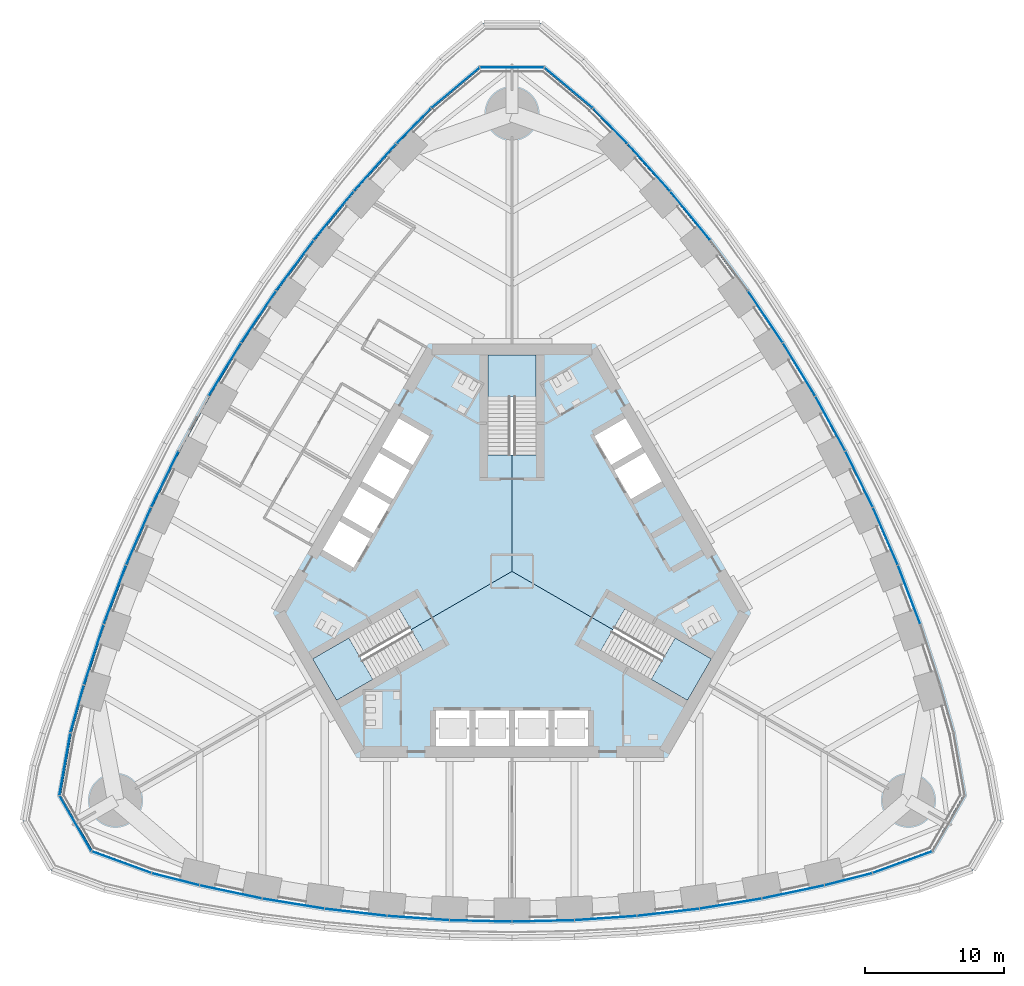
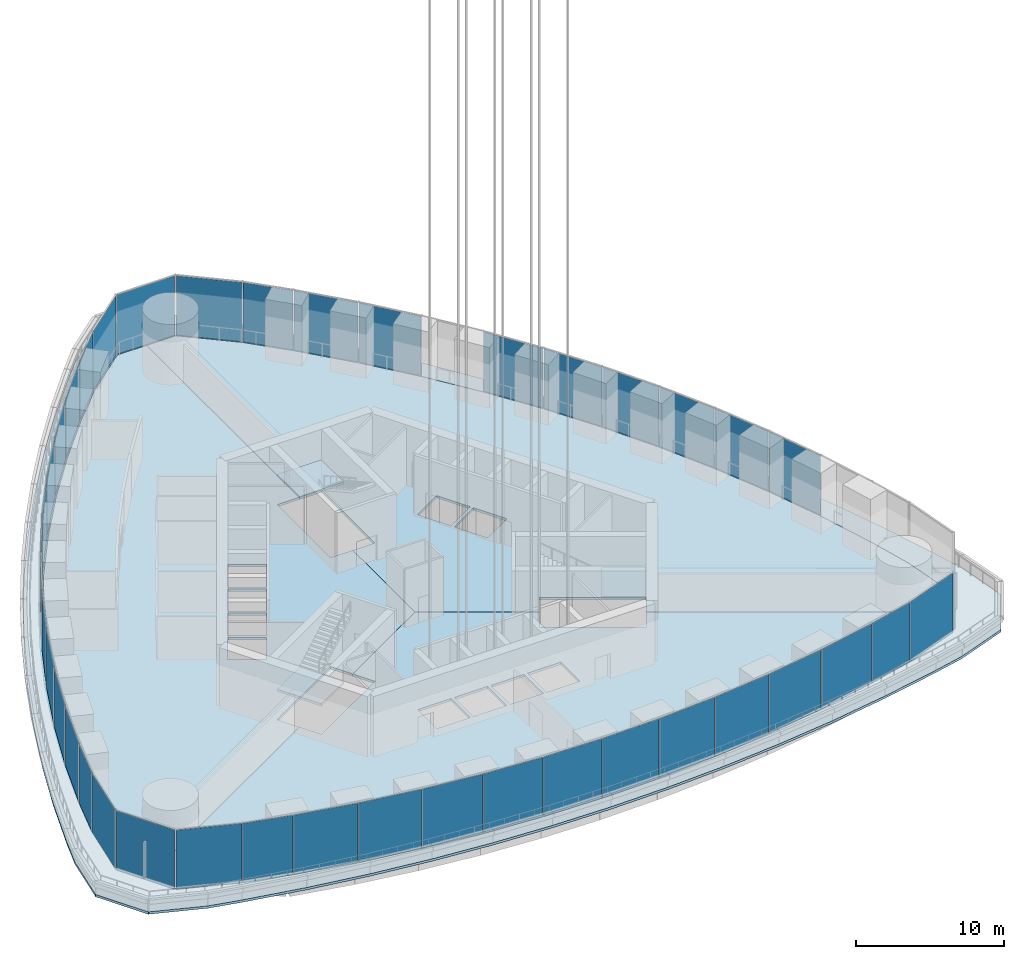
# One storey, part 11 of 31: 39 plates, 7 slabs, 10 elements without a shape of their own.
"""IFC4 building model written with IfcOpenShell, lengths in metres."""

from ifc_helpers import new_model, si_unit, direction, frame, origin, origin_2d, place, context, subcontext, project, spatial, polyline, rectangle, outline, extrude, material, layer, layer_set, type_object, element, aggregate, save


model = new_model("IFC4")

# Units and contexts
model_context = context("Model", 3, precision=1e-05, world=origin(), true_north=direction((0.0, 1.0)))
body_context = subcontext(model_context, "Body", "Model", "MODEL_VIEW")
ifc_project = project(units=[si_unit("LENGTHUNIT", "METRE"), si_unit("AREAUNIT", "SQUARE_METRE"), si_unit("VOLUMEUNIT", "CUBIC_METRE"), si_unit("PLANEANGLEUNIT", "RADIAN"), si_unit("MASSUNIT", "GRAM", prefix="KILO")], contexts=[model_context])

# Site, building, storey
site_placement = place(None, origin())
site = spatial("IfcSite", under=ifc_project, at=site_placement, CompositionType="ELEMENT")
building_placement = place(site_placement, origin())
building = spatial("IfcBuilding", under=site, at=building_placement, Name="Trefoil Bronze Tower", CompositionType="ELEMENT")
storey_placement = place(building_placement, frame((0.0, 0.0, 184.699951171875)))
storey = spatial("IfcBuildingStorey", under=building, at=storey_placement, Name="L42", CompositionType="ELEMENT", Elevation=184.699951171875)

# Curtain wall, plate
ifc_material_1 = material(Name="Tinted solar-control glass", Category="glass")
curtain_wall_type_1 = type_object("IfcCurtainWallType", Name="Bronze rounded corner curtain wall", PredefinedType="USERDEFINED", material=ifc_material_1)
curtain_wall_1_placement = place(storey_placement, origin())
curtain_wall_1 = element("IfcCurtainWall", 1, at=curtain_wall_1_placement, inside=storey, type_object=curtain_wall_type_1, Name="CW-B L42 K1", ObjectType="CURTAIN WALL", PredefinedType="USERDEFINED")
ifc_material_2 = material(Name="Tinted solar-control glass", Category="glass")
ifc_layer_1 = layer(ifc_material_2, 0.030029296875)
ifc_layer_set_1 = layer_set([ifc_layer_1], Name="Bronze rounded corner curtain wall glass panel")
plate_type_1 = type_object("IfcPlateType", Name="Bronze rounded corner curtain wall glass panel", PredefinedType="CURTAIN_PANEL", material=ifc_layer_set_1)
plate_1_placement = place(storey_placement, frame((28.1298828125, -20.96484375, 0.0), z_axis=(0.0, 0.0, 1.0), x_axis=(0.939692620786, 0.342020143326, 0.0)))
plate_1 = element("IfcPlate", 2, at=plate_1_placement, type_object=plate_type_1, Name="CW-B L42 K1 panel 1", PredefinedType="CURTAIN_PANEL", context=body_context, shape_type="SweptSolid", body=[
    extrude(rectangle(XDim=4.500244140625, YDim=0.030029296875, at=origin_2d()), origin(), (0.0, 0.0, 1.0), 4.8798828125),
])
aggregate(curtain_wall_1, [plate_1])

# Curtain wall, plates
curtain_wall_2_placement = place(storey_placement, origin())
curtain_wall_2 = element("IfcCurtainWall", 3, at=curtain_wall_2_placement, inside=storey, type_object=curtain_wall_type_1, Name="CW-B L42 K2", ObjectType="CURTAIN WALL", PredefinedType="USERDEFINED")
plate_2_placement = place(storey_placement, frame((4.091064453125, 34.843505859375, 0.0), z_axis=(0.0, 0.0, 1.0), x_axis=(-0.766044443119, 0.642787609687, 0.0)))
plate_2 = element("IfcPlate", 4, at=plate_2_placement, type_object=plate_type_1, Name="CW-B L42 K2 panel 1", PredefinedType="CURTAIN_PANEL", context=body_context, shape_type="SweptSolid", body=[
    extrude(rectangle(XDim=4.500244140625, YDim=0.030029296875, at=origin_2d()), origin(), (0.0, 0.0, 1.0), 4.8798828125),
])
plate_3_placement = place(storey_placement, frame((0.0, 36.33251953125, 0.0), z_axis=(0.0, 0.0, 1.0), x_axis=(-1.0, 0.0, 0.0)))
plate_3 = element("IfcPlate", 5, at=plate_3_placement, type_object=plate_type_1, Name="CW-B L42 K2 panel 2", PredefinedType="CURTAIN_PANEL", context=body_context, shape_type="SweptSolid", body=[
    extrude(rectangle(XDim=4.500244140625, YDim=0.030029296875, at=origin_2d()), origin(), (0.0, 0.0, 1.0), 4.8798828125),
])
plate_4_placement = place(storey_placement, frame((-4.091064453125, 34.843505859375, 0.0), z_axis=(0.0, 0.0, 1.0), x_axis=(-0.766044443119, -0.642787609687, 0.0)))
plate_4 = element("IfcPlate", 6, at=plate_4_placement, type_object=plate_type_1, Name="CW-B L42 K2 panel 3", PredefinedType="CURTAIN_PANEL", context=body_context, shape_type="SweptSolid", body=[
    extrude(rectangle(XDim=4.500244140625, YDim=0.030029296875, at=origin_2d()), origin(), (0.0, 0.0, 1.0), 4.8798828125),
])
aggregate(curtain_wall_2, [plate_2, plate_3, plate_4])

curtain_wall_3_placement = place(storey_placement, origin())
curtain_wall_3 = element("IfcCurtainWall", 7, at=curtain_wall_3_placement, inside=storey, type_object=curtain_wall_type_1, Name="CW-B L42 K3", ObjectType="CURTAIN WALL", PredefinedType="USERDEFINED")
plate_5_placement = place(storey_placement, frame((-32.220947265625, -13.878662109375, 0.0), z_axis=(0.0, 0.0, 1.0), x_axis=(-0.173648177667, -0.984807753012, 0.0)))
plate_5 = element("IfcPlate", 8, at=plate_5_placement, type_object=plate_type_1, Name="CW-B L42 K3 panel 1", PredefinedType="CURTAIN_PANEL", context=body_context, shape_type="SweptSolid", body=[
    extrude(rectangle(XDim=4.500244140625, YDim=0.030029296875, at=origin_2d()), origin(), (0.0, 0.0, 1.0), 4.8798828125),
])
plate_6_placement = place(storey_placement, frame((-31.46484375, -18.166259765625, 0.0), z_axis=(0.0, 0.0, 1.0), x_axis=(0.5, -0.866025403784, 0.0)))
plate_6 = element("IfcPlate", 9, at=plate_6_placement, type_object=plate_type_1, Name="CW-B L42 K3 panel 2", PredefinedType="CURTAIN_PANEL", context=body_context, shape_type="SweptSolid", body=[
    extrude(rectangle(XDim=4.500244140625, YDim=0.030029296875, at=origin_2d()), origin(), (0.0, 0.0, 1.0), 4.8798828125),
])
plate_7_placement = place(storey_placement, frame((-28.1298828125, -20.96484375, 0.0), z_axis=(0.0, 0.0, 1.0), x_axis=(0.939692620786, -0.342020143326, 0.0)))
plate_7 = element("IfcPlate", 10, at=plate_7_placement, type_object=plate_type_1, Name="CW-B L42 K3 panel 3", PredefinedType="CURTAIN_PANEL", context=body_context, shape_type="SweptSolid", body=[
    extrude(rectangle(XDim=4.500244140625, YDim=0.030029296875, at=origin_2d()), origin(), (0.0, 0.0, 1.0), 4.8798828125),
])
aggregate(curtain_wall_3, [plate_5, plate_6, plate_7])

ifc_material_3 = material(Name="Tinted solar-control glass", Category="glass")
curtain_wall_type_2 = type_object("IfcCurtainWallType", Name="Bronze sky lobby curtain wall", PredefinedType="USERDEFINED", material=ifc_material_3)
curtain_wall_4_placement = place(storey_placement, origin())
curtain_wall_4 = element("IfcCurtainWall", 11, at=curtain_wall_4_placement, inside=storey, type_object=curtain_wall_type_2, Name="CW-D L42 F1", ObjectType="CURTAIN WALL", PredefinedType="USERDEFINED")
ifc_material_4 = material(Name="Tinted solar-control glass", Category="glass")
ifc_layer_2 = layer(ifc_material_4, 0.030029296875)
ifc_layer_set_2 = layer_set([ifc_layer_2], Name="Bronze sky lobby curtain wall glass panel")
plate_type_2 = type_object("IfcPlateType", Name="Bronze sky lobby curtain wall glass panel", PredefinedType="CURTAIN_PANEL", material=ifc_layer_set_2)
plate_8_placement = place(storey_placement, frame((-24.251220703125, -22.188232421875, 0.0), z_axis=(0.0, 0.0, 1.0), x_axis=(0.968934035393, -0.247319297786, 0.0)))
plate_8 = element("IfcPlate", 12, at=plate_8_placement, type_object=plate_type_2, Name="CW-D L42 F1 panel 1", PredefinedType="CURTAIN_PANEL", context=body_context, shape_type="SweptSolid", body=[
    extrude(rectangle(XDim=3.503662109375, YDim=0.030029296875, at=origin_2d()), origin(), (0.0, 0.0, 1.0), 4.8798828125),
])
plate_9_placement = place(storey_placement, frame((-20.270751953125, -23.105224609375, 0.0), z_axis=(0.0, 0.0, 1.0), x_axis=(0.978394335897, -0.20674748725, 0.0)))
plate_9 = element("IfcPlate", 13, at=plate_9_placement, type_object=plate_type_2, Name="CW-D L42 F1 panel 2", PredefinedType="CURTAIN_PANEL", context=body_context, shape_type="SweptSolid", body=[
    extrude(rectangle(XDim=4.539306640625, YDim=0.030029296875, at=origin_2d()), origin(), (0.0, 0.0, 1.0), 4.8798828125),
])
plate_10_placement = place(storey_placement, frame((-15.76611328125, -23.9482421875, 0.0), z_axis=(0.0, 0.0, 1.0), x_axis=(0.986986549528, -0.160802832848, 0.0)))
plate_10 = element("IfcPlate", 14, at=plate_10_placement, type_object=plate_type_2, Name="CW-D L42 F1 panel 3", PredefinedType="CURTAIN_PANEL", context=body_context, shape_type="SweptSolid", body=[
    extrude(rectangle(XDim=4.499267578125, YDim=0.030029296875, at=origin_2d()), origin(), (0.0, 0.0, 1.0), 4.8798828125),
])
plate_11_placement = place(storey_placement, frame((-11.261474609375, -24.57568359375, 0.0), z_axis=(0.0, 0.0, 1.0), x_axis=(0.993381831741, -0.114858767043, 0.0)))
plate_11 = element("IfcPlate", 15, at=plate_11_placement, type_object=plate_type_2, Name="CW-D L42 F1 panel 4", PredefinedType="CURTAIN_PANEL", context=body_context, shape_type="SweptSolid", body=[
    extrude(rectangle(XDim=4.469970703125, YDim=0.030029296875, at=origin_2d()), origin(), (0.0, 0.0, 1.0), 4.8798828125),
])
plate_12_placement = place(storey_placement, frame((-6.7568359375, -24.991455078125, 0.0), z_axis=(0.0, 0.0, 1.0), x_axis=(0.99762252804, -0.068915103905, 0.0)))
plate_12 = element("IfcPlate", 16, at=plate_12_placement, type_object=plate_type_2, Name="CW-D L42 F1 panel 5", PredefinedType="CURTAIN_PANEL", context=body_context, shape_type="SweptSolid", body=[
    extrude(rectangle(XDim=4.45068359375, YDim=0.030029296875, at=origin_2d()), origin(), (0.0, 0.0, 1.0), 4.8798828125),
])
plate_13_placement = place(storey_placement, frame((-2.252197265625, -25.198974609375, 0.0), z_axis=(0.0, 0.0, 1.0), x_axis=(0.999736116243, -0.022971675577, 0.0)))
plate_13 = element("IfcPlate", 17, at=plate_13_placement, type_object=plate_type_2, Name="CW-D L42 F1 panel 6", PredefinedType="CURTAIN_PANEL", context=body_context, shape_type="SweptSolid", body=[
    extrude(rectangle(XDim=4.441162109375, YDim=0.030029296875, at=origin_2d()), origin(), (0.0, 0.0, 1.0), 4.8798828125),
])
plate_14_placement = place(storey_placement, frame((2.252197265625, -25.198974609375, 0.0), z_axis=(0.0, 0.0, 1.0), x_axis=(0.999736116243, 0.022971675577, 0.0)))
plate_14 = element("IfcPlate", 18, at=plate_14_placement, type_object=plate_type_2, Name="CW-D L42 F1 panel 7", PredefinedType="CURTAIN_PANEL", context=body_context, shape_type="SweptSolid", body=[
    extrude(rectangle(XDim=4.441162109375, YDim=0.030029296875, at=origin_2d()), origin(), (0.0, 0.0, 1.0), 4.8798828125),
])
plate_15_placement = place(storey_placement, frame((6.7568359375, -24.991455078125, 0.0), z_axis=(0.0, 0.0, 1.0), x_axis=(0.99762252804, 0.068915103905, 0.0)))
plate_15 = element("IfcPlate", 19, at=plate_15_placement, type_object=plate_type_2, Name="CW-D L42 F1 panel 8", PredefinedType="CURTAIN_PANEL", context=body_context, shape_type="SweptSolid", body=[
    extrude(rectangle(XDim=4.45068359375, YDim=0.030029296875, at=origin_2d()), origin(), (0.0, 0.0, 1.0), 4.8798828125),
])
plate_16_placement = place(storey_placement, frame((11.261474609375, -24.57568359375, 0.0), z_axis=(0.0, 0.0, 1.0), x_axis=(0.993381831741, 0.114858767043, 0.0)))
plate_16 = element("IfcPlate", 20, at=plate_16_placement, type_object=plate_type_2, Name="CW-D L42 F1 panel 9", PredefinedType="CURTAIN_PANEL", context=body_context, shape_type="SweptSolid", body=[
    extrude(rectangle(XDim=4.469970703125, YDim=0.030029296875, at=origin_2d()), origin(), (0.0, 0.0, 1.0), 4.8798828125),
])
plate_17_placement = place(storey_placement, frame((15.76611328125, -23.9482421875, 0.0), z_axis=(0.0, 0.0, 1.0), x_axis=(0.986986549528, 0.160802832848, 0.0)))
plate_17 = element("IfcPlate", 21, at=plate_17_placement, type_object=plate_type_2, Name="CW-D L42 F1 panel 10", PredefinedType="CURTAIN_PANEL", context=body_context, shape_type="SweptSolid", body=[
    extrude(rectangle(XDim=4.499267578125, YDim=0.030029296875, at=origin_2d()), origin(), (0.0, 0.0, 1.0), 4.8798828125),
])
plate_18_placement = place(storey_placement, frame((20.270751953125, -23.105224609375, 0.0), z_axis=(0.0, 0.0, 1.0), x_axis=(0.978394335897, 0.20674748725, 0.0)))
plate_18 = element("IfcPlate", 22, at=plate_18_placement, type_object=plate_type_2, Name="CW-D L42 F1 panel 11", PredefinedType="CURTAIN_PANEL", context=body_context, shape_type="SweptSolid", body=[
    extrude(rectangle(XDim=4.539306640625, YDim=0.030029296875, at=origin_2d()), origin(), (0.0, 0.0, 1.0), 4.8798828125),
])
plate_19_placement = place(storey_placement, frame((24.251220703125, -22.188232421875, 0.0), z_axis=(0.0, 0.0, 1.0), x_axis=(0.968934035393, 0.247319297786, 0.0)))
plate_19 = element("IfcPlate", 23, at=plate_19_placement, type_object=plate_type_2, Name="CW-D L42 F1 panel 12", PredefinedType="CURTAIN_PANEL", context=body_context, shape_type="SweptSolid", body=[
    extrude(rectangle(XDim=3.503662109375, YDim=0.030029296875, at=origin_2d()), origin(), (0.0, 0.0, 1.0), 4.8798828125),
])
aggregate(curtain_wall_4, [plate_8, plate_9, plate_10, plate_11, plate_12, plate_13, plate_14, plate_15, plate_16, plate_17, plate_18, plate_19])

curtain_wall_5_placement = place(storey_placement, origin())
curtain_wall_5 = element("IfcCurtainWall", 24, at=curtain_wall_5_placement, inside=storey, type_object=curtain_wall_type_2, Name="CW-D L42 F2", ObjectType="CURTAIN WALL", PredefinedType="USERDEFINED")
plate_20_placement = place(storey_placement, frame((28.622802734375, -1.6796875, 0.0), z_axis=(0.0, 0.0, 1.0), x_axis=(-0.354233936517, 0.935156841508, 0.0)))
plate_20 = element("IfcPlate", 25, at=plate_20_placement, type_object=plate_type_2, Name="CW-D L42 F2 panel 3", PredefinedType="CURTAIN_PANEL", context=body_context, shape_type="SweptSolid", body=[
    extrude(rectangle(XDim=4.499267578125, YDim=0.030029296875, at=origin_2d()), origin(), (0.0, 0.0, 1.0), 4.8798828125),
])
plate_21_placement = place(storey_placement, frame((26.913818359375, 2.53515625, 0.0), z_axis=(0.0, 0.0, 1.0), x_axis=(-0.397220305764, 0.917723285467, 0.0)))
plate_21 = element("IfcPlate", 26, at=plate_21_placement, type_object=plate_type_2, Name="CW-D L42 F2 panel 4", PredefinedType="CURTAIN_PANEL", context=body_context, shape_type="SweptSolid", body=[
    extrude(rectangle(XDim=4.469970703125, YDim=0.030029296875, at=origin_2d()), origin(), (0.0, 0.0, 1.0), 4.8798828125),
])
plate_22_placement = place(storey_placement, frame((25.021728515625, 6.64404296875, 0.0), z_axis=(0.0, 0.0, 1.0), x_axis=(-0.439129033334, 0.898424004623, 0.0)))
plate_22 = element("IfcPlate", 27, at=plate_22_placement, type_object=plate_type_2, Name="CW-D L42 F2 panel 5", PredefinedType="CURTAIN_PANEL", context=body_context, shape_type="SweptSolid", body=[
    extrude(rectangle(XDim=4.45068359375, YDim=0.030029296875, at=origin_2d()), origin(), (0.0, 0.0, 1.0), 4.8798828125),
])
plate_23_placement = place(storey_placement, frame((22.948974609375, 10.64892578125, 0.0), z_axis=(0.0, 0.0, 1.0), x_axis=(-0.479974003504, 0.877282711536, 0.0)))
plate_23 = element("IfcPlate", 28, at=plate_23_placement, type_object=plate_type_2, Name="CW-D L42 F2 panel 6", PredefinedType="CURTAIN_PANEL", context=body_context, shape_type="SweptSolid", body=[
    extrude(rectangle(XDim=4.441162109375, YDim=0.030029296875, at=origin_2d()), origin(), (0.0, 0.0, 1.0), 4.8798828125),
])
plate_24_placement = place(storey_placement, frame((20.69677734375, 14.550048828125, 0.0), z_axis=(0.0, 0.0, 1.0), x_axis=(-0.519762112739, 0.854311035959, 0.0)))
plate_24 = element("IfcPlate", 29, at=plate_24_placement, type_object=plate_type_2, Name="CW-D L42 F2 panel 7", PredefinedType="CURTAIN_PANEL", context=body_context, shape_type="SweptSolid", body=[
    extrude(rectangle(XDim=4.441162109375, YDim=0.030029296875, at=origin_2d()), origin(), (0.0, 0.0, 1.0), 4.8798828125),
])
plate_25_placement = place(storey_placement, frame((18.264892578125, 18.347412109375, 0.0), z_axis=(0.0, 0.0, 1.0), x_axis=(-0.558493494706, 0.829508900718, 0.0)))
plate_25 = element("IfcPlate", 30, at=plate_25_placement, type_object=plate_type_2, Name="CW-D L42 F2 panel 8", PredefinedType="CURTAIN_PANEL", context=body_context, shape_type="SweptSolid", body=[
    extrude(rectangle(XDim=4.45068359375, YDim=0.030029296875, at=origin_2d()), origin(), (0.0, 0.0, 1.0), 4.8798828125),
])
plate_26_placement = place(storey_placement, frame((12.856689453125, 25.6279296875, 0.0), z_axis=(0.0, 0.0, 1.0), x_axis=(-0.63275261301, 0.774354008661, 0.0)))
plate_26 = element("IfcPlate", 31, at=plate_26_placement, type_object=plate_type_2, Name="CW-D L42 F2 panel 10", PredefinedType="CURTAIN_PANEL", context=body_context, shape_type="SweptSolid", body=[
    extrude(rectangle(XDim=4.499267578125, YDim=0.030029296875, at=origin_2d()), origin(), (0.0, 0.0, 1.0), 4.8798828125),
])
plate_27_placement = place(storey_placement, frame((9.87451171875, 29.107666015625, 0.0), z_axis=(0.0, 0.0, 1.0), x_axis=(-0.668245744076, 0.743940606181, 0.0)))
plate_27 = element("IfcPlate", 32, at=plate_27_placement, type_object=plate_type_2, Name="CW-D L42 F2 panel 11", PredefinedType="CURTAIN_PANEL", context=body_context, shape_type="SweptSolid", body=[
    extrude(rectangle(XDim=4.539306640625, YDim=0.030029296875, at=origin_2d()), origin(), (0.0, 0.0, 1.0), 4.8798828125),
])
plate_28_placement = place(storey_placement, frame((7.08984375, 32.09619140625, 0.0), z_axis=(0.0, 0.0, 1.0), x_axis=(-0.698651812425, 0.715461840349, 0.0)))
plate_28 = element("IfcPlate", 33, at=plate_28_placement, type_object=plate_type_2, Name="CW-D L42 F2 panel 12", PredefinedType="CURTAIN_PANEL", context=body_context, shape_type="SweptSolid", body=[
    extrude(rectangle(XDim=3.503662109375, YDim=0.030029296875, at=origin_2d()), origin(), (0.0, 0.0, 1.0), 4.8798828125),
])
aggregate(curtain_wall_5, [plate_20, plate_21, plate_22, plate_23, plate_24, plate_25, plate_26, plate_27, plate_28])

curtain_wall_6_placement = place(storey_placement, origin())
curtain_wall_6 = element("IfcCurtainWall", 34, at=curtain_wall_6_placement, inside=storey, type_object=curtain_wall_type_2, Name="CW-D L42 F3 run 1", ObjectType="CURTAIN WALL", PredefinedType="USERDEFINED")
plate_29_placement = place(storey_placement, frame((-7.08984375, 32.09619140625, 0.0), z_axis=(0.0, 0.0, 1.0), x_axis=(-0.698651812425, -0.715461840349, 0.0)))
plate_29 = element("IfcPlate", 35, at=plate_29_placement, type_object=plate_type_2, Name="CW-D L42 F3 run 1 panel 1", PredefinedType="CURTAIN_PANEL", context=body_context, shape_type="SweptSolid", body=[
    extrude(rectangle(XDim=3.503662109375, YDim=0.030029296875, at=origin_2d()), origin(), (0.0, 0.0, 1.0), 4.8798828125),
])
plate_30_placement = place(storey_placement, frame((-9.87451171875, 29.107666015625, 0.0), z_axis=(0.0, 0.0, 1.0), x_axis=(-0.668245744076, -0.743940606181, 0.0)))
plate_30 = element("IfcPlate", 36, at=plate_30_placement, type_object=plate_type_2, Name="CW-D L42 F3 run 1 panel 2", PredefinedType="CURTAIN_PANEL", context=body_context, shape_type="SweptSolid", body=[
    extrude(rectangle(XDim=4.539306640625, YDim=0.030029296875, at=origin_2d()), origin(), (0.0, 0.0, 1.0), 4.8798828125),
])
plate_31_placement = place(storey_placement, frame((-12.856689453125, 25.6279296875, 0.0), z_axis=(0.0, 0.0, 1.0), x_axis=(-0.63275261301, -0.774354008661, 0.0)))
plate_31 = element("IfcPlate", 37, at=plate_31_placement, type_object=plate_type_2, Name="CW-D L42 F3 run 1 panel 3", PredefinedType="CURTAIN_PANEL", context=body_context, shape_type="SweptSolid", body=[
    extrude(rectangle(XDim=4.499267578125, YDim=0.030029296875, at=origin_2d()), origin(), (0.0, 0.0, 1.0), 4.8798828125),
])
plate_32_placement = place(storey_placement, frame((-15.65234375, 22.04052734375, 0.0), z_axis=(0.0, 0.0, 1.0), x_axis=(-0.596161525977, -0.802864518425, 0.0)))
plate_32 = element("IfcPlate", 38, at=plate_32_placement, type_object=plate_type_2, Name="CW-D L42 F3 run 1 panel 4", PredefinedType="CURTAIN_PANEL", context=body_context, shape_type="SweptSolid", body=[
    extrude(rectangle(XDim=4.469970703125, YDim=0.030029296875, at=origin_2d()), origin(), (0.0, 0.0, 1.0), 4.8798828125),
])
plate_33_placement = place(storey_placement, frame((-18.264892578125, 18.347412109375, 0.0), z_axis=(0.0, 0.0, 1.0), x_axis=(-0.558493494706, -0.829508900718, 0.0)))
plate_33 = element("IfcPlate", 39, at=plate_33_placement, type_object=plate_type_2, Name="CW-D L42 F3 run 1 panel 5", PredefinedType="CURTAIN_PANEL", context=body_context, shape_type="SweptSolid", body=[
    extrude(rectangle(XDim=4.45068359375, YDim=0.030029296875, at=origin_2d()), origin(), (0.0, 0.0, 1.0), 4.8798828125),
])
plate_34_placement = place(storey_placement, frame((-20.69677734375, 14.550048828125, 0.0), z_axis=(0.0, 0.0, 1.0), x_axis=(-0.519762112739, -0.854311035959, 0.0)))
plate_34 = element("IfcPlate", 40, at=plate_34_placement, type_object=plate_type_2, Name="CW-D L42 F3 run 1 panel 6", PredefinedType="CURTAIN_PANEL", context=body_context, shape_type="SweptSolid", body=[
    extrude(rectangle(XDim=4.441162109375, YDim=0.030029296875, at=origin_2d()), origin(), (0.0, 0.0, 1.0), 4.8798828125),
])
aggregate(curtain_wall_6, [plate_29, plate_30, plate_31, plate_32, plate_33, plate_34])

curtain_wall_7_placement = place(storey_placement, origin())
curtain_wall_7 = element("IfcCurtainWall", 41, at=curtain_wall_7_placement, inside=storey, type_object=curtain_wall_type_2, Name="CW-D L42 F3 run 3", ObjectType="CURTAIN WALL", PredefinedType="USERDEFINED")
plate_35_placement = place(storey_placement, frame((-25.021728515625, 6.64404296875, 0.0), z_axis=(0.0, 0.0, 1.0), x_axis=(-0.439129033334, -0.898424004623, 0.0)))
plate_35 = element("IfcPlate", 42, at=plate_35_placement, type_object=plate_type_2, Name="CW-D L42 F3 run 3 panel 1", PredefinedType="CURTAIN_PANEL", context=body_context, shape_type="SweptSolid", body=[
    extrude(rectangle(XDim=4.45068359375, YDim=0.030029296875, at=origin_2d()), origin(), (0.0, 0.0, 1.0), 4.8798828125),
])
plate_36_placement = place(storey_placement, frame((-26.913818359375, 2.53515625, 0.0), z_axis=(0.0, 0.0, 1.0), x_axis=(-0.397220305764, -0.917723285467, 0.0)))
plate_36 = element("IfcPlate", 43, at=plate_36_placement, type_object=plate_type_2, Name="CW-D L42 F3 run 3 panel 2", PredefinedType="CURTAIN_PANEL", context=body_context, shape_type="SweptSolid", body=[
    extrude(rectangle(XDim=4.469970703125, YDim=0.030029296875, at=origin_2d()), origin(), (0.0, 0.0, 1.0), 4.8798828125),
])
plate_37_placement = place(storey_placement, frame((-28.622802734375, -1.6796875, 0.0), z_axis=(0.0, 0.0, 1.0), x_axis=(-0.354233936517, -0.935156841508, 0.0)))
plate_37 = element("IfcPlate", 44, at=plate_37_placement, type_object=plate_type_2, Name="CW-D L42 F3 run 3 panel 3", PredefinedType="CURTAIN_PANEL", context=body_context, shape_type="SweptSolid", body=[
    extrude(rectangle(XDim=4.499267578125, YDim=0.030029296875, at=origin_2d()), origin(), (0.0, 0.0, 1.0), 4.8798828125),
])
plate_38_placement = place(storey_placement, frame((-30.14501953125, -6.002197265625, 0.0), z_axis=(0.0, 0.0, 1.0), x_axis=(-0.310148591821, -0.950688093431, 0.0)))
plate_38 = element("IfcPlate", 45, at=plate_38_placement, type_object=plate_type_2, Name="CW-D L42 F3 run 3 panel 4", PredefinedType="CURTAIN_PANEL", context=body_context, shape_type="SweptSolid", body=[
    extrude(rectangle(XDim=4.539306640625, YDim=0.030029296875, at=origin_2d()), origin(), (0.0, 0.0, 1.0), 4.8798828125),
])
plate_39_placement = place(storey_placement, frame((-31.341064453125, -9.907958984375, 0.0), z_axis=(0.0, 0.0, 1.0), x_axis=(-0.270282222968, -0.962781138134, 0.0)))
plate_39 = element("IfcPlate", 46, at=plate_39_placement, type_object=plate_type_2, Name="CW-D L42 F3 run 3 panel 5", PredefinedType="CURTAIN_PANEL", context=body_context, shape_type="SweptSolid", body=[
    extrude(rectangle(XDim=3.503662109375, YDim=0.030029296875, at=origin_2d()), origin(), (0.0, 0.0, 1.0), 4.8798828125),
])
aggregate(curtain_wall_7, [plate_35, plate_36, plate_37, plate_38, plate_39])

# Slabs
ifc_material_5 = material(Name="Concrete B30", Category="concrete")
ifc_layer_3 = layer(ifc_material_5, 0.199951171875)
ifc_layer_set_3 = layer_set([ifc_layer_3], Name="Floor slab 200")
slab_type_1 = type_object("IfcSlabType", Name="Floor slab 200", PredefinedType="FLOOR", material=ifc_layer_set_3)
slab_1_placement = place(storey_placement, frame((0.0, 0.0, -0.199951171875)))
element("IfcSlab", 47, at=slab_1_placement, inside=storey, type_object=slab_type_1, Name="Floor slab L42 face 1", PredefinedType="FLOOR", context=body_context, shape_type="SweptSolid", body=[
    extrude(outline(polyline([(18.0, -23.48291015625), (13.5, -24.216064453125), (9.0, -24.736328125), (4.5, -25.047119140625), (0.0, -25.150634765625), (-4.5, -25.047119140625), (-9.0, -24.736328125), (-13.5, -24.216064453125), (-18.0, -23.48291015625), (-22.5, -22.531982421875), (-25.952880859375, -21.650634765625), (-30.23828125, -20.0908203125), (-31.37841796875, -18.1162109375), (-13.510009765625, -7.800048828125), (-12.6474609375, -9.2939453125), (-6.412109375, -5.69384765625), (-7.274658203125, -4.199951171875), (0.0, 0.0), (7.274658203125, -4.199951171875), (6.412109375, -5.69384765625), (12.6474609375, -9.2939453125), (13.510009765625, -7.800048828125), (31.37841796875, -18.1162109375), (30.23828125, -20.0908203125), (25.952880859375, -21.650634765625), (22.5, -22.531982421875), (18.0, -23.48291015625)]), holes=[polyline([(-5.574951171875, -10.02490234375), (-2.97509765625, -10.02490234375), (-2.97509765625, -12.60009765625), (-5.574951171875, -12.60009765625), (-5.574951171875, -10.02490234375)]), polyline([(-2.72509765625, -10.02490234375), (-0.125, -10.02490234375), (-0.125, -12.60009765625), (-2.72509765625, -12.60009765625), (-2.72509765625, -10.02490234375)]), polyline([(0.125, -10.02490234375), (2.72509765625, -10.02490234375), (2.72509765625, -12.60009765625), (0.125, -12.60009765625), (0.125, -10.02490234375)]), polyline([(2.97509765625, -10.02490234375), (5.574951171875, -10.02490234375), (5.574951171875, -12.60009765625), (2.97509765625, -12.60009765625), (2.97509765625, -10.02490234375)])]), origin(), (0.0, 0.0, 1.0), 0.199951171875),
])
slab_2_placement = place(storey_placement, frame((0.0, 0.0, -0.199951171875)))
element("IfcSlab", 48, at=slab_2_placement, inside=storey, type_object=slab_type_1, Name="Floor slab L42 face 2", PredefinedType="FLOOR", context=body_context, shape_type="SweptSolid", body=[
    extrude(outline(polyline([(11.3369140625, 27.329833984375), (14.2216796875, 23.79931640625), (16.92236328125, 20.162353515625), (19.441650390625, 16.420654296875), (21.781005859375, 12.575439453125), (23.941650390625, 8.62646484375), (25.92236328125, 4.573974609375), (27.7216796875, 0.416748046875), (29.3369140625, -3.846923828125), (30.76318359375, -8.219482421875), (31.7265625, -11.650634765625), (32.518310546875, -16.1416015625), (31.37841796875, -18.1162109375), (13.510009765625, -7.800048828125), (14.37255859375, -6.30615234375), (8.13720703125, -2.7060546875), (7.274658203125, -4.199951171875), (0.0, 0.0), (0.0, 8.39990234375), (1.72509765625, 8.39990234375), (1.72509765625, 15.60009765625), (0.0, 15.60009765625), (0.0, 36.232666015625), (2.280029296875, 36.232666015625), (5.7734375, 33.30126953125), (8.26318359375, 30.75146484375), (11.3369140625, 27.329833984375)]), holes=[polyline([(8.619384765625, 5.120849609375), (7.3193359375, 7.372314453125), (9.54931640625, 8.659912109375), (10.849365234375, 6.408203125), (8.619384765625, 5.120849609375)]), polyline([(7.1943359375, 7.5888671875), (5.894287109375, 9.840576171875), (8.12451171875, 11.128173828125), (9.42431640625, 8.87646484375), (7.1943359375, 7.5888671875)])]), origin(), (0.0, 0.0, 1.0), 0.199951171875),
])
slab_3_placement = place(storey_placement, frame((0.0, 0.0, -0.199951171875)))
element("IfcSlab", 49, at=slab_3_placement, inside=storey, type_object=slab_type_1, Name="Floor slab L42 face 3", PredefinedType="FLOOR", context=body_context, shape_type="SweptSolid", body=[
    extrude(outline(polyline([(-29.3369140625, -3.846923828125), (-27.7216796875, 0.416748046875), (-25.92236328125, 4.573974609375), (-23.941650390625, 8.62646484375), (-21.781005859375, 12.575439453125), (-19.441650390625, 16.420654296875), (-16.92236328125, 20.162353515625), (-14.2216796875, 23.79931640625), (-11.3369140625, 27.329833984375), (-8.26318359375, 30.75146484375), (-5.7734375, 33.30126953125), (-2.280029296875, 36.232666015625), (0.0, 36.232666015625), (0.0, 15.60009765625), (-1.72509765625, 15.60009765625), (-1.72509765625, 8.39990234375), (0.0, 8.39990234375), (0.0, 0.0), (-7.274658203125, -4.199951171875), (-8.13720703125, -2.7060546875), (-14.37255859375, -6.30615234375), (-13.510009765625, -7.800048828125), (-31.37841796875, -18.1162109375), (-32.518310546875, -16.1416015625), (-31.7265625, -11.650634765625), (-30.76318359375, -8.219482421875), (-29.3369140625, -3.846923828125)]), holes=[polyline([(-5.894287109375, 9.840576171875), (-7.1943359375, 7.5888671875), (-9.42431640625, 8.87646484375), (-8.12451171875, 11.128173828125), (-5.894287109375, 9.840576171875)]), polyline([(-7.3193359375, 7.372314453125), (-8.619384765625, 5.120849609375), (-10.849365234375, 6.408203125), (-9.54931640625, 8.659912109375), (-7.3193359375, 7.372314453125)]), polyline([(-8.744384765625, 4.904296875), (-10.04443359375, 2.652587890625), (-12.2744140625, 3.940185546875), (-10.974365234375, 6.191650390625), (-8.744384765625, 4.904296875)]), polyline([(-10.16943359375, 2.43603515625), (-11.469482421875, 0.184326171875), (-13.699462890625, 1.471923828125), (-12.3994140625, 3.7236328125), (-10.16943359375, 2.43603515625)])]), origin(), (0.0, 0.0, 1.0), 0.199951171875),
])
ifc_material_6 = material(Name="Concrete B30", Category="concrete")
ifc_layer_4 = layer(ifc_material_6, 0.199951171875)
ifc_layer_set_4 = layer_set([ifc_layer_4], Name="Setback maintenance roof 200")
slab_type_2 = type_object("IfcSlabType", Name="Setback maintenance roof 200", PredefinedType="ROOF", material=ifc_layer_set_4)
slab_4_placement = place(storey_placement, frame((0.0, 0.0, -0.199951171875)))
element("IfcSlab", 50, at=slab_4_placement, inside=storey, type_object=slab_type_2, Name="Setback maintenance roof L42", PredefinedType="ROOF", context=body_context, shape_type="SweptSolid", body=[
    extrude(outline(polyline([(-29.357666015625, -22.94970703125), (-27.0, -23.495849609375), (-22.5, -24.406005859375), (-18.0, -25.1455078125), (-13.5, -25.7177734375), (-9.0, -26.125), (-4.5, -26.36865234375), (0.0, -26.44970703125), (4.5, -26.36865234375), (9.0, -26.125), (13.5, -25.7177734375), (18.0, -25.1455078125), (22.5, -24.406005859375), (27.0, -23.495849609375), (29.357666015625, -22.94970703125), (33.21435546875, -21.5458984375), (35.2666015625, -17.991455078125), (34.553955078125, -13.94970703125), (33.847900390625, -11.634765625), (32.38623046875, -7.28271484375), (30.776611328125, -3.015625), (29.022216796875, 1.16748046875), (27.124755859375, 5.268310546875), (25.0859375, 9.287109375), (22.906005859375, 13.224853515625), (20.5859375, 17.081298828125), (18.124755859375, 20.856689453125), (15.522216796875, 24.55029296875), (12.776611328125, 28.1611328125), (9.88623046875, 31.6884765625), (6.847900390625, 35.130615234375), (5.196044921875, 36.8994140625), (2.052001953125, 39.53759765625), (-2.052001953125, 39.53759765625), (-5.196044921875, 36.8994140625), (-6.847900390625, 35.130615234375), (-9.88623046875, 31.6884765625), (-12.776611328125, 28.1611328125), (-15.522216796875, 24.55029296875), (-18.124755859375, 20.856689453125), (-20.5859375, 17.081298828125), (-22.906005859375, 13.224853515625), (-25.0859375, 9.287109375), (-27.124755859375, 5.268310546875), (-29.022216796875, 1.16748046875), (-30.776611328125, -3.015625), (-32.38623046875, -7.28271484375), (-33.847900390625, -11.634765625), (-34.553955078125, -13.94970703125), (-35.2666015625, -17.991455078125), (-33.21435546875, -21.5458984375), (-29.357666015625, -22.94970703125)]), holes=[polyline([(-25.952880859375, -21.650634765625), (-22.5, -22.531982421875), (-18.0, -23.48291015625), (-13.5, -24.216064453125), (-9.0, -24.736328125), (-4.5, -25.047119140625), (0.0, -25.150634765625), (4.5, -25.047119140625), (9.0, -24.736328125), (13.5, -24.216064453125), (18.0, -23.48291015625), (22.5, -22.531982421875), (25.952880859375, -21.650634765625), (30.23828125, -20.0908203125), (32.518310546875, -16.1416015625), (31.7265625, -11.650634765625), (30.76318359375, -8.219482421875), (29.3369140625, -3.846923828125), (27.7216796875, 0.416748046875), (25.92236328125, 4.573974609375), (23.941650390625, 8.62646484375), (21.781005859375, 12.575439453125), (19.441650390625, 16.420654296875), (16.92236328125, 20.162353515625), (14.2216796875, 23.79931640625), (11.3369140625, 27.329833984375), (8.26318359375, 30.75146484375), (5.7734375, 33.30126953125), (2.280029296875, 36.232666015625), (-2.280029296875, 36.232666015625), (-5.7734375, 33.30126953125), (-8.26318359375, 30.75146484375), (-11.3369140625, 27.329833984375), (-14.2216796875, 23.79931640625), (-16.92236328125, 20.162353515625), (-19.441650390625, 16.420654296875), (-21.781005859375, 12.575439453125), (-23.941650390625, 8.62646484375), (-25.92236328125, 4.573974609375), (-27.7216796875, 0.416748046875), (-29.3369140625, -3.846923828125), (-30.76318359375, -8.219482421875), (-31.7265625, -11.650634765625), (-32.518310546875, -16.1416015625), (-30.23828125, -20.0908203125), (-25.952880859375, -21.650634765625)])]), origin(), (0.0, 0.0, 1.0), 0.199951171875),
])

# Stair, slab
ifc_material_7 = material(Name="Precast concrete B80", Category="concrete")
stair_type = type_object("IfcStairType", Name="Exit stair 30 risers", PredefinedType="HALF_TURN_STAIR", material=ifc_material_7)
stair_1_placement = place(storey_placement, origin())
stair_1 = element("IfcStair", 51, at=stair_1_placement, inside=storey, type_object=stair_type, Name="Stair ST1 L42", PredefinedType="HALF_TURN_STAIR")
ifc_material_8 = material(Name="Concrete B30", Category="concrete")
ifc_layer_5 = layer(ifc_material_8, 0.199951171875)
ifc_layer_set_5 = layer_set([ifc_layer_5], Name="Stair landing 200")
slab_type_3 = type_object("IfcSlabType", Name="Stair landing 200", PredefinedType="LANDING", material=ifc_layer_set_5)
slab_5_placement = place(storey_placement, frame((0.0, 0.0, 2.300048828125)))
slab_5 = element("IfcSlab", 52, at=slab_5_placement, type_object=slab_type_3, Name="ST1 landing 1", PredefinedType="LANDING", context=body_context, shape_type="SweptSolid", body=[
    extrude(outline(polyline([(10.031982421875, -7.783935546875), (12.6474609375, -9.2939453125), (14.37255859375, -6.30615234375), (11.757080078125, -4.796142578125), (10.031982421875, -7.783935546875)])), origin(), (0.0, 0.0, 1.0), 0.199951171875),
])
aggregate(stair_1, [slab_5])

stair_2_placement = place(storey_placement, origin())
stair_2 = element("IfcStair", 53, at=stair_2_placement, inside=storey, type_object=stair_type, Name="Stair ST2 L42", PredefinedType="HALF_TURN_STAIR")
slab_6_placement = place(storey_placement, frame((0.0, 0.0, 2.300048828125)))
slab_6 = element("IfcSlab", 54, at=slab_6_placement, type_object=slab_type_3, Name="ST2 landing 1", PredefinedType="LANDING", context=body_context, shape_type="SweptSolid", body=[
    extrude(outline(polyline([(1.72509765625, 12.580078125), (1.72509765625, 15.60009765625), (-1.72509765625, 15.60009765625), (-1.72509765625, 12.580078125), (1.72509765625, 12.580078125)])), origin(), (0.0, 0.0, 1.0), 0.199951171875),
])
aggregate(stair_2, [slab_6])

stair_3_placement = place(storey_placement, origin())
stair_3 = element("IfcStair", 55, at=stair_3_placement, inside=storey, type_object=stair_type, Name="Stair ST3 L42", PredefinedType="HALF_TURN_STAIR")
slab_7_placement = place(storey_placement, frame((0.0, 0.0, 2.300048828125)))
slab_7 = element("IfcSlab", 56, at=slab_7_placement, type_object=slab_type_3, Name="ST3 landing 1", PredefinedType="LANDING", context=body_context, shape_type="SweptSolid", body=[
    extrude(outline(polyline([(-11.757080078125, -4.796142578125), (-14.37255859375, -6.30615234375), (-12.6474609375, -9.2939453125), (-10.031982421875, -7.783935546875), (-11.757080078125, -4.796142578125)])), origin(), (0.0, 0.0, 1.0), 0.199951171875),
])
aggregate(stair_3, [slab_7])

save(model, "model.ifc")
